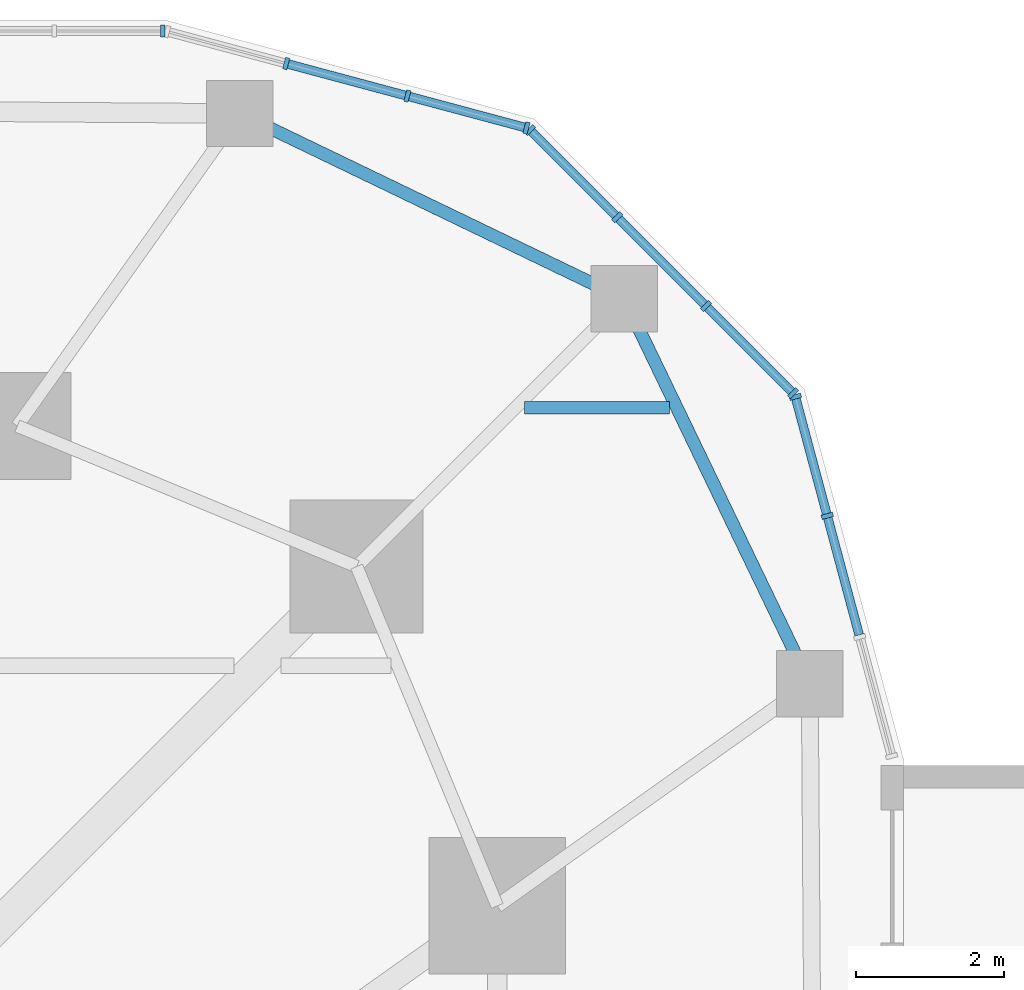
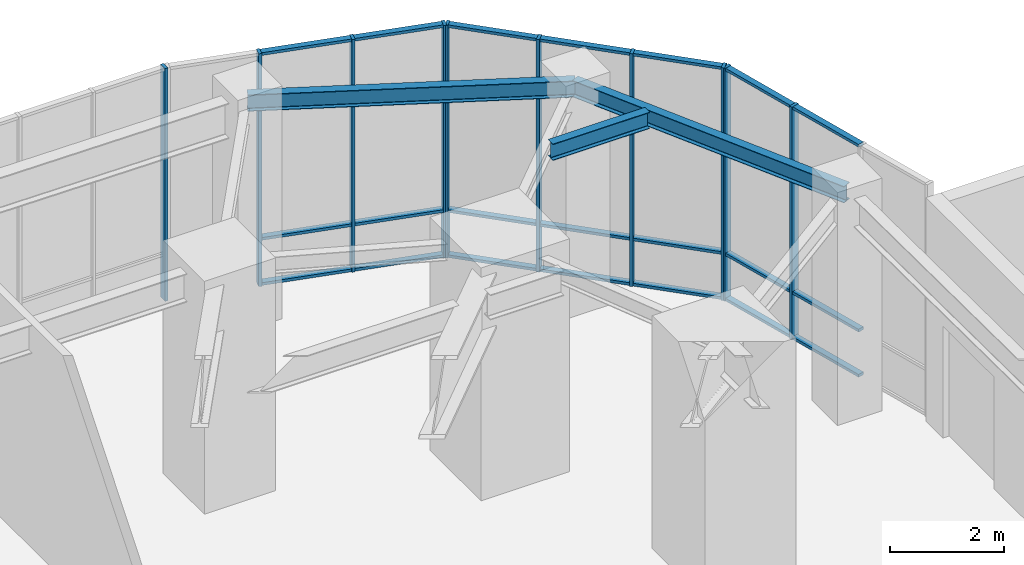
# One storey, part 16 of 24: 31 members, 3 beams, 4 elements without a shape of their own.
"""IFC4 building model written with IfcOpenShell, lengths in metres."""

from ifc_helpers import new_model, si_unit, direction, frame, origin, origin_2d, place, context, subcontext, project, spatial, rectangle, i_section, extrude, material, material_profile, profile_set, type_object, element, aggregate, save


model = new_model("IFC4")

# Units and contexts
model_context = context("Model", 3, precision=1e-05, world=origin(), true_north=direction((0.0, 1.0)))
body_context = subcontext(model_context, "Body", "Model", "MODEL_VIEW")
ifc_project = project(units=[si_unit("LENGTHUNIT", "METRE"), si_unit("AREAUNIT", "SQUARE_METRE"), si_unit("VOLUMEUNIT", "CUBIC_METRE"), si_unit("PLANEANGLEUNIT", "RADIAN"), si_unit("MASSUNIT", "GRAM", prefix="KILO")], contexts=[model_context])

# Site, building, storey
site_placement = place(None, origin())
site = spatial("IfcSite", under=ifc_project, at=site_placement, CompositionType="ELEMENT")
building_placement = place(site_placement, origin())
building = spatial("IfcBuilding", under=site, at=building_placement, Name="Nakasero Lantern House", CompositionType="ELEMENT")
storey_placement = place(building_placement, frame((0.0, 0.0, 11.0)))
storey = spatial("IfcBuildingStorey", under=building, at=storey_placement, Name="L02", CompositionType="ELEMENT", Elevation=11.0)

# Beam
ifc_material_1 = material(Name="Steel S355", Category="steel")
ifc_material_profile_1 = material_profile(ifc_material_1, i_section(OverallWidth=0.17138671875, OverallDepth=0.35498046875, WebThickness=0.00732421875, FlangeThickness=0.011474609375, FilletRadius=0.01025390625, at=origin_2d()), Name="UB 356x171x51")
ifc_profile_set_1 = profile_set([ifc_material_profile_1], Name="Steel S355")
beam_type_1 = type_object("IfcBeamType", Name="Infill beam UB 356x171x51", PredefinedType="JOIST", material=ifc_profile_set_1)
beam_placement = place(storey_placement, frame((22.871337890625, 22.75, 4.572509765625), z_axis=(1.0, 0.0, 0.0), x_axis=(0.0, 1.0, 0.0)))
element("IfcBeam", 1, at=beam_placement, inside=storey, type_object=beam_type_1, Name="Infill beam L03 15.2", PredefinedType="JOIST", context=body_context, shape_type="SweptSolid", body=[
    extrude(i_section(OverallWidth=0.17138671875, OverallDepth=0.35498046875, WebThickness=0.00732421875, FlangeThickness=0.011474609375, FilletRadius=0.01025390625, at=origin_2d()), origin(), (0.0, 0.0, 1.0), 1.965576171875),
])

# Curtain wall, members
ifc_material_2 = material(Name="Aluminium 6063-T6 and glass", Category="aluminium")
curtain_wall_type = type_object("IfcCurtainWallType", Name="Podium curtain wall CW-2", PredefinedType="USERDEFINED", material=ifc_material_2)
curtain_wall_1_placement = place(storey_placement, origin())
curtain_wall_1 = element("IfcCurtainWall", 2, at=curtain_wall_1_placement, inside=storey, type_object=curtain_wall_type, Name="Curtain wall CW-2 L02", ObjectType="STICK CURTAIN WALL", PredefinedType="USERDEFINED")
ifc_material_3 = material(Name="Aluminium 6063-T6", Category="aluminium")
ifc_material_profile_2 = material_profile(ifc_material_3, rectangle(XDim=0.06005859375, YDim=0.159912109375, at=origin_2d()), Name="CW-2 mullion 60x160")
ifc_profile_set_2 = profile_set([ifc_material_profile_2], Name="Aluminium 6063-T6")
member_type_1 = type_object("IfcMemberType", Name="Mullion CW-2", PredefinedType="MULLION", material=ifc_profile_set_2)
member_1_placement = place(storey_placement, frame((26.97021484375, 21.283447265625, 0.0), z_axis=(0.0, 0.0, 1.0), x_axis=(-0.258819045103, 0.965925826289, 0.0)))
member_1 = element("IfcMember", 3, at=member_1_placement, type_object=member_type_1, Name="CW-2 mullion 3", PredefinedType="MULLION", context=body_context, shape_type="SweptSolid", body=[
    extrude(rectangle(XDim=0.06005859375, YDim=0.159912109375, at=origin_2d()), origin(), (0.0, 0.0, 1.0), 5.0),
])
member_2_placement = place(storey_placement, frame((26.5380859375, 22.89599609375, 0.0), z_axis=(0.0, 0.0, 1.0), x_axis=(-0.258819045103, 0.965925826289, 0.0)))
member_2 = element("IfcMember", 4, at=member_2_placement, type_object=member_type_1, Name="CW-2 mullion 4", PredefinedType="MULLION", context=body_context, shape_type="SweptSolid", body=[
    extrude(rectangle(XDim=0.06005859375, YDim=0.159912109375, at=origin_2d()), origin(), (0.0, 0.0, 1.0), 5.0),
])

curtain_wall_2_placement = place(storey_placement, origin())
curtain_wall_2 = element("IfcCurtainWall", 5, at=curtain_wall_2_placement, inside=storey, type_object=curtain_wall_type, Name="Curtain wall CW-2 L02", ObjectType="STICK CURTAIN WALL", PredefinedType="USERDEFINED")
member_3_placement = place(storey_placement, frame((26.509033203125, 22.9462890625, 0.0), z_axis=(0.0, 0.0, 1.0), x_axis=(-0.707106781187, 0.707106781187, 0.0)))
member_3 = element("IfcMember", 6, at=member_3_placement, type_object=member_type_1, Name="CW-2 mullion 1", PredefinedType="MULLION", context=body_context, shape_type="SweptSolid", body=[
    extrude(rectangle(XDim=0.06005859375, YDim=0.159912109375, at=origin_2d()), origin(), (0.0, 0.0, 1.0), 5.0),
])
member_4_placement = place(storey_placement, frame((25.32861328125, 24.126708984375, 0.0), z_axis=(0.0, 0.0, 1.0), x_axis=(-0.707106781187, 0.707106781187, 0.0)))
member_4 = element("IfcMember", 7, at=member_4_placement, type_object=member_type_1, Name="CW-2 mullion 2", PredefinedType="MULLION", context=body_context, shape_type="SweptSolid", body=[
    extrude(rectangle(XDim=0.06005859375, YDim=0.159912109375, at=origin_2d()), origin(), (0.0, 0.0, 1.0), 5.0),
])
member_5_placement = place(storey_placement, frame((24.126708984375, 25.32861328125, 0.0), z_axis=(0.0, 0.0, 1.0), x_axis=(-0.707106781187, 0.707106781187, 0.0)))
member_5 = element("IfcMember", 8, at=member_5_placement, type_object=member_type_1, Name="CW-2 mullion 3", PredefinedType="MULLION", context=body_context, shape_type="SweptSolid", body=[
    extrude(rectangle(XDim=0.06005859375, YDim=0.159912109375, at=origin_2d()), origin(), (0.0, 0.0, 1.0), 5.0),
])
member_6_placement = place(storey_placement, frame((22.9462890625, 26.509033203125, 0.0), z_axis=(0.0, 0.0, 1.0), x_axis=(-0.707106781187, 0.707106781187, 0.0)))
member_6 = element("IfcMember", 9, at=member_6_placement, type_object=member_type_1, Name="CW-2 mullion 4", PredefinedType="MULLION", context=body_context, shape_type="SweptSolid", body=[
    extrude(rectangle(XDim=0.06005859375, YDim=0.159912109375, at=origin_2d()), origin(), (0.0, 0.0, 1.0), 5.0),
])

curtain_wall_3_placement = place(storey_placement, origin())
curtain_wall_3 = element("IfcCurtainWall", 10, at=curtain_wall_3_placement, inside=storey, type_object=curtain_wall_type, Name="Curtain wall CW-2 L02", ObjectType="STICK CURTAIN WALL", PredefinedType="USERDEFINED")
member_7_placement = place(storey_placement, frame((22.89599609375, 26.5380859375, 0.0), z_axis=(0.0, 0.0, 1.0), x_axis=(-0.965925826289, 0.258819045103, 0.0)))
member_7 = element("IfcMember", 11, at=member_7_placement, type_object=member_type_1, Name="CW-2 mullion 1", PredefinedType="MULLION", context=body_context, shape_type="SweptSolid", body=[
    extrude(rectangle(XDim=0.06005859375, YDim=0.159912109375, at=origin_2d()), origin(), (0.0, 0.0, 1.0), 5.0),
])
member_8_placement = place(storey_placement, frame((21.283447265625, 26.97021484375, 0.0), z_axis=(0.0, 0.0, 1.0), x_axis=(-0.965925826289, 0.258819045103, 0.0)))
member_8 = element("IfcMember", 12, at=member_8_placement, type_object=member_type_1, Name="CW-2 mullion 2", PredefinedType="MULLION", context=body_context, shape_type="SweptSolid", body=[
    extrude(rectangle(XDim=0.06005859375, YDim=0.159912109375, at=origin_2d()), origin(), (0.0, 0.0, 1.0), 5.0),
])
member_9_placement = place(storey_placement, frame((19.6416015625, 27.41015625, 0.0), z_axis=(0.0, 0.0, 1.0), x_axis=(-0.965925826289, 0.258819045103, 0.0)))
member_9 = element("IfcMember", 13, at=member_9_placement, type_object=member_type_1, Name="CW-2 mullion 3", PredefinedType="MULLION", context=body_context, shape_type="SweptSolid", body=[
    extrude(rectangle(XDim=0.06005859375, YDim=0.159912109375, at=origin_2d()), origin(), (0.0, 0.0, 1.0), 5.0),
])

# Curtain wall, member
curtain_wall_4_placement = place(storey_placement, origin())
curtain_wall_4 = element("IfcCurtainWall", 14, at=curtain_wall_4_placement, inside=storey, type_object=curtain_wall_type, Name="Curtain wall CW-2 L02", ObjectType="STICK CURTAIN WALL", PredefinedType="USERDEFINED")
member_10_placement = place(storey_placement, frame((17.969970703125, 27.85009765625, 0.0), z_axis=(0.0, 0.0, 1.0), x_axis=(-1.0, 0.0, 0.0)))
member_10 = element("IfcMember", 15, at=member_10_placement, type_object=member_type_1, Name="CW-2 mullion 1", PredefinedType="MULLION", context=body_context, shape_type="SweptSolid", body=[
    extrude(rectangle(XDim=0.06005859375, YDim=0.159912109375, at=origin_2d()), origin(), (0.0, 0.0, 1.0), 5.0),
])
aggregate(curtain_wall_4, [member_10])

# Beams
ifc_material_4 = material(Name="Steel S355", Category="steel")
ifc_material_profile_3 = material_profile(ifc_material_4, i_section(OverallWidth=0.17138671875, OverallDepth=0.35498046875, WebThickness=0.00732421875, FlangeThickness=0.011474609375, FilletRadius=0.01025390625, at=origin_2d()), Name="UB 356x171x51")
ifc_profile_set_3 = profile_set([ifc_material_profile_3], Name="Steel S355")
beam_type_2 = type_object("IfcBeamType", Name="Ring beam UB 356x171x51", PredefinedType="BEAM", material=ifc_profile_set_3)
for number, where, z_axis, x_axis, name in (
    (16, (26.733642578125, 19.0107421875, 4.572509765625), (-0.434032577134, 0.900897176145, 0.0), (-0.900897176145, -0.434032577134, 0.0), "Ring beam L03 POD-C05"),
    (17, (24.22265625, 24.22265625, 4.572509765625), (-0.900897176145, 0.434032577134, 0.0), (-0.434032577134, -0.900897176145, 0.0), "Ring beam L03 POD-C06"),
):
    element("IfcBeam", number, at=place(storey_placement, frame(where, z_axis=z_axis, x_axis=x_axis)), inside=storey, type_object=beam_type_2, Name=name, PredefinedType="BEAM", context=body_context, shape_type="SweptSolid", body=[
        extrude(i_section(OverallWidth=0.17138671875, OverallDepth=0.35498046875, WebThickness=0.00732421875, FlangeThickness=0.011474609375, FilletRadius=0.01025390625, at=origin_2d()), origin(), (0.0, 0.0, 1.0), 5.78515625),
    ])

# Member
ifc_material_5 = material(Name="Aluminium 6063-T6", Category="aluminium")
ifc_material_profile_4 = material_profile(ifc_material_5, rectangle(XDim=0.06005859375, YDim=0.1201171875, at=origin_2d()), Name="CW-2 transom 60x120")
ifc_profile_set_4 = profile_set([ifc_material_profile_4], Name="Aluminium 6063-T6")
member_type_2 = type_object("IfcMemberType", Name="Transom CW-2", PredefinedType="USERDEFINED", material=ifc_profile_set_4)
member_11_placement = place(storey_placement, frame((27.40234375, 19.670654296875, 0.030029296875), z_axis=(-0.258793147214, 0.965932765235, 0.0), x_axis=(0.0, 0.0, 1.0)))
member_11 = element("IfcMember", 18, at=member_11_placement, type_object=member_type_2, Name="CW-2 transom 2.1", ObjectType="TRANSOM", PredefinedType="USERDEFINED", context=body_context, shape_type="SweptSolid", body=[
    extrude(rectangle(XDim=0.06005859375, YDim=0.1201171875, at=origin_2d()), origin(), (0.0, 0.0, 1.0), 1.6396484375),
])

member_12_placement = place(storey_placement, frame((27.40234375, 19.670654296875, 1.0), z_axis=(-0.258793147214, 0.965932765235, 0.0), x_axis=(0.0, 0.0, 1.0)))
member_12 = element("IfcMember", 19, at=member_12_placement, type_object=member_type_2, Name="CW-2 transom 2.2", ObjectType="TRANSOM", PredefinedType="USERDEFINED", context=body_context, shape_type="SweptSolid", body=[
    extrude(rectangle(XDim=0.06005859375, YDim=0.1201171875, at=origin_2d()), origin(), (0.0, 0.0, 1.0), 1.6396484375),
])

member_13_placement = place(storey_placement, frame((27.40234375, 19.670654296875, 4.969970703125), z_axis=(-0.258793147214, 0.965932765235, 0.0), x_axis=(0.0, 0.0, 1.0)))
member_13 = element("IfcMember", 20, at=member_13_placement, type_object=member_type_2, Name="CW-2 transom 2.3", ObjectType="TRANSOM", PredefinedType="USERDEFINED", context=body_context, shape_type="SweptSolid", body=[
    extrude(rectangle(XDim=0.06005859375, YDim=0.1201171875, at=origin_2d()), origin(), (0.0, 0.0, 1.0), 1.6396484375),
])

member_14_placement = place(storey_placement, frame((26.96240234375, 21.312255859375, 0.030029296875), z_axis=(-0.258776522595, 0.965937219158, 0.0), x_axis=(0.0, 0.0, 1.0)))
member_14 = element("IfcMember", 21, at=member_14_placement, type_object=member_type_2, Name="CW-2 transom 3.1", ObjectType="TRANSOM", PredefinedType="USERDEFINED", context=body_context, shape_type="SweptSolid", body=[
    extrude(rectangle(XDim=0.06005859375, YDim=0.1201171875, at=origin_2d()), origin(), (0.0, 0.0, 1.0), 1.609619140625),
])

member_15_placement = place(storey_placement, frame((26.96240234375, 21.312255859375, 1.0), z_axis=(-0.258776522595, 0.965937219158, 0.0), x_axis=(0.0, 0.0, 1.0)))
member_15 = element("IfcMember", 22, at=member_15_placement, type_object=member_type_2, Name="CW-2 transom 3.2", ObjectType="TRANSOM", PredefinedType="USERDEFINED", context=body_context, shape_type="SweptSolid", body=[
    extrude(rectangle(XDim=0.06005859375, YDim=0.1201171875, at=origin_2d()), origin(), (0.0, 0.0, 1.0), 1.609619140625),
])

member_16_placement = place(storey_placement, frame((26.96240234375, 21.312255859375, 4.969970703125), z_axis=(-0.258776522595, 0.965937219158, 0.0), x_axis=(0.0, 0.0, 1.0)))
member_16 = element("IfcMember", 23, at=member_16_placement, type_object=member_type_2, Name="CW-2 transom 3.3", ObjectType="TRANSOM", PredefinedType="USERDEFINED", context=body_context, shape_type="SweptSolid", body=[
    extrude(rectangle(XDim=0.06005859375, YDim=0.1201171875, at=origin_2d()), origin(), (0.0, 0.0, 1.0), 1.609619140625),
])

aggregate(curtain_wall_1, [member_1, member_2, member_11, member_12, member_13, member_14, member_15, member_16])

member_17_placement = place(storey_placement, frame((26.488037109375, 22.967529296875, 0.030029296875), z_axis=(-0.707182622531, 0.707030931707, 0.0), x_axis=(0.0, 0.0, 1.0)))
member_17 = element("IfcMember", 24, at=member_17_placement, type_object=member_type_2, Name="CW-2 transom 1.1", ObjectType="TRANSOM", PredefinedType="USERDEFINED", context=body_context, shape_type="SweptSolid", body=[
    extrude(rectangle(XDim=0.06005859375, YDim=0.1201171875, at=origin_2d()), origin(), (0.0, 0.0, 1.0), 1.609375),
])

member_18_placement = place(storey_placement, frame((26.488037109375, 22.967529296875, 1.0), z_axis=(-0.707182622531, 0.707030931707, 0.0), x_axis=(0.0, 0.0, 1.0)))
member_18 = element("IfcMember", 25, at=member_18_placement, type_object=member_type_2, Name="CW-2 transom 1.2", ObjectType="TRANSOM", PredefinedType="USERDEFINED", context=body_context, shape_type="SweptSolid", body=[
    extrude(rectangle(XDim=0.06005859375, YDim=0.1201171875, at=origin_2d()), origin(), (0.0, 0.0, 1.0), 1.609375),
])

member_19_placement = place(storey_placement, frame((26.488037109375, 22.967529296875, 4.969970703125), z_axis=(-0.707182622531, 0.707030931707, 0.0), x_axis=(0.0, 0.0, 1.0)))
member_19 = element("IfcMember", 26, at=member_19_placement, type_object=member_type_2, Name="CW-2 transom 1.3", ObjectType="TRANSOM", PredefinedType="USERDEFINED", context=body_context, shape_type="SweptSolid", body=[
    extrude(rectangle(XDim=0.06005859375, YDim=0.1201171875, at=origin_2d()), origin(), (0.0, 0.0, 1.0), 1.609375),
])

member_20_placement = place(storey_placement, frame((25.307373046875, 24.14794921875, 0.030029296875), z_axis=(-0.707106781187, 0.707106781187, 0.0), x_axis=(0.0, 0.0, 1.0)))
member_20 = element("IfcMember", 27, at=member_20_placement, type_object=member_type_2, Name="CW-2 transom 2.1", ObjectType="TRANSOM", PredefinedType="USERDEFINED", context=body_context, shape_type="SweptSolid", body=[
    extrude(rectangle(XDim=0.06005859375, YDim=0.1201171875, at=origin_2d()), origin(), (0.0, 0.0, 1.0), 1.6396484375),
])

member_21_placement = place(storey_placement, frame((25.307373046875, 24.14794921875, 1.0), z_axis=(-0.707106781187, 0.707106781187, 0.0), x_axis=(0.0, 0.0, 1.0)))
member_21 = element("IfcMember", 28, at=member_21_placement, type_object=member_type_2, Name="CW-2 transom 2.2", ObjectType="TRANSOM", PredefinedType="USERDEFINED", context=body_context, shape_type="SweptSolid", body=[
    extrude(rectangle(XDim=0.06005859375, YDim=0.1201171875, at=origin_2d()), origin(), (0.0, 0.0, 1.0), 1.6396484375),
])

member_22_placement = place(storey_placement, frame((25.307373046875, 24.14794921875, 4.969970703125), z_axis=(-0.707106781187, 0.707106781187, 0.0), x_axis=(0.0, 0.0, 1.0)))
member_22 = element("IfcMember", 29, at=member_22_placement, type_object=member_type_2, Name="CW-2 transom 2.3", ObjectType="TRANSOM", PredefinedType="USERDEFINED", context=body_context, shape_type="SweptSolid", body=[
    extrude(rectangle(XDim=0.06005859375, YDim=0.1201171875, at=origin_2d()), origin(), (0.0, 0.0, 1.0), 1.6396484375),
])

member_23_placement = place(storey_placement, frame((24.10546875, 25.349853515625, 0.030029296875), z_axis=(-0.707030931707, 0.707182622531, 0.0), x_axis=(0.0, 0.0, 1.0)))
member_23 = element("IfcMember", 30, at=member_23_placement, type_object=member_type_2, Name="CW-2 transom 3.1", ObjectType="TRANSOM", PredefinedType="USERDEFINED", context=body_context, shape_type="SweptSolid", body=[
    extrude(rectangle(XDim=0.06005859375, YDim=0.1201171875, at=origin_2d()), origin(), (0.0, 0.0, 1.0), 1.609375),
])

member_24_placement = place(storey_placement, frame((24.10546875, 25.349853515625, 1.0), z_axis=(-0.707030931707, 0.707182622531, 0.0), x_axis=(0.0, 0.0, 1.0)))
member_24 = element("IfcMember", 31, at=member_24_placement, type_object=member_type_2, Name="CW-2 transom 3.2", ObjectType="TRANSOM", PredefinedType="USERDEFINED", context=body_context, shape_type="SweptSolid", body=[
    extrude(rectangle(XDim=0.06005859375, YDim=0.1201171875, at=origin_2d()), origin(), (0.0, 0.0, 1.0), 1.609375),
])

member_25_placement = place(storey_placement, frame((24.10546875, 25.349853515625, 4.969970703125), z_axis=(-0.707030931707, 0.707182622531, 0.0), x_axis=(0.0, 0.0, 1.0)))
member_25 = element("IfcMember", 32, at=member_25_placement, type_object=member_type_2, Name="CW-2 transom 3.3", ObjectType="TRANSOM", PredefinedType="USERDEFINED", context=body_context, shape_type="SweptSolid", body=[
    extrude(rectangle(XDim=0.06005859375, YDim=0.1201171875, at=origin_2d()), origin(), (0.0, 0.0, 1.0), 1.609375),
])

aggregate(curtain_wall_2, [member_3, member_4, member_5, member_6, member_17, member_18, member_19, member_20, member_21, member_22, member_23, member_24, member_25])

member_26_placement = place(storey_placement, frame((22.866943359375, 26.5458984375, 0.030029296875), z_axis=(-0.965937219158, 0.258776522595, 0.0), x_axis=(0.0, 0.0, 1.0)))
member_26 = element("IfcMember", 33, at=member_26_placement, type_object=member_type_2, Name="CW-2 transom 1.1", ObjectType="TRANSOM", PredefinedType="USERDEFINED", context=body_context, shape_type="SweptSolid", body=[
    extrude(rectangle(XDim=0.06005859375, YDim=0.1201171875, at=origin_2d()), origin(), (0.0, 0.0, 1.0), 1.609619140625),
])

member_27_placement = place(storey_placement, frame((22.866943359375, 26.5458984375, 1.0), z_axis=(-0.965937219158, 0.258776522595, 0.0), x_axis=(0.0, 0.0, 1.0)))
member_27 = element("IfcMember", 34, at=member_27_placement, type_object=member_type_2, Name="CW-2 transom 1.2", ObjectType="TRANSOM", PredefinedType="USERDEFINED", context=body_context, shape_type="SweptSolid", body=[
    extrude(rectangle(XDim=0.06005859375, YDim=0.1201171875, at=origin_2d()), origin(), (0.0, 0.0, 1.0), 1.609619140625),
])

member_28_placement = place(storey_placement, frame((22.866943359375, 26.5458984375, 4.969970703125), z_axis=(-0.965937219158, 0.258776522595, 0.0), x_axis=(0.0, 0.0, 1.0)))
member_28 = element("IfcMember", 35, at=member_28_placement, type_object=member_type_2, Name="CW-2 transom 1.3", ObjectType="TRANSOM", PredefinedType="USERDEFINED", context=body_context, shape_type="SweptSolid", body=[
    extrude(rectangle(XDim=0.06005859375, YDim=0.1201171875, at=origin_2d()), origin(), (0.0, 0.0, 1.0), 1.609619140625),
])

member_29_placement = place(storey_placement, frame((21.25439453125, 26.97802734375, 0.030029296875), z_axis=(-0.965932765235, 0.258793147214, 0.0), x_axis=(0.0, 0.0, 1.0)))
member_29 = element("IfcMember", 36, at=member_29_placement, type_object=member_type_2, Name="CW-2 transom 2.1", ObjectType="TRANSOM", PredefinedType="USERDEFINED", context=body_context, shape_type="SweptSolid", body=[
    extrude(rectangle(XDim=0.06005859375, YDim=0.1201171875, at=origin_2d()), origin(), (0.0, 0.0, 1.0), 1.6396484375),
])

member_30_placement = place(storey_placement, frame((21.25439453125, 26.97802734375, 1.0), z_axis=(-0.965932765235, 0.258793147214, 0.0), x_axis=(0.0, 0.0, 1.0)))
member_30 = element("IfcMember", 37, at=member_30_placement, type_object=member_type_2, Name="CW-2 transom 2.2", ObjectType="TRANSOM", PredefinedType="USERDEFINED", context=body_context, shape_type="SweptSolid", body=[
    extrude(rectangle(XDim=0.06005859375, YDim=0.1201171875, at=origin_2d()), origin(), (0.0, 0.0, 1.0), 1.6396484375),
])

member_31_placement = place(storey_placement, frame((21.25439453125, 26.97802734375, 4.969970703125), z_axis=(-0.965932765235, 0.258793147214, 0.0), x_axis=(0.0, 0.0, 1.0)))
member_31 = element("IfcMember", 38, at=member_31_placement, type_object=member_type_2, Name="CW-2 transom 2.3", ObjectType="TRANSOM", PredefinedType="USERDEFINED", context=body_context, shape_type="SweptSolid", body=[
    extrude(rectangle(XDim=0.06005859375, YDim=0.1201171875, at=origin_2d()), origin(), (0.0, 0.0, 1.0), 1.6396484375),
])

aggregate(curtain_wall_3, [member_7, member_8, member_9, member_26, member_27, member_28, member_29, member_30, member_31])

save(model, "model.ifc")
